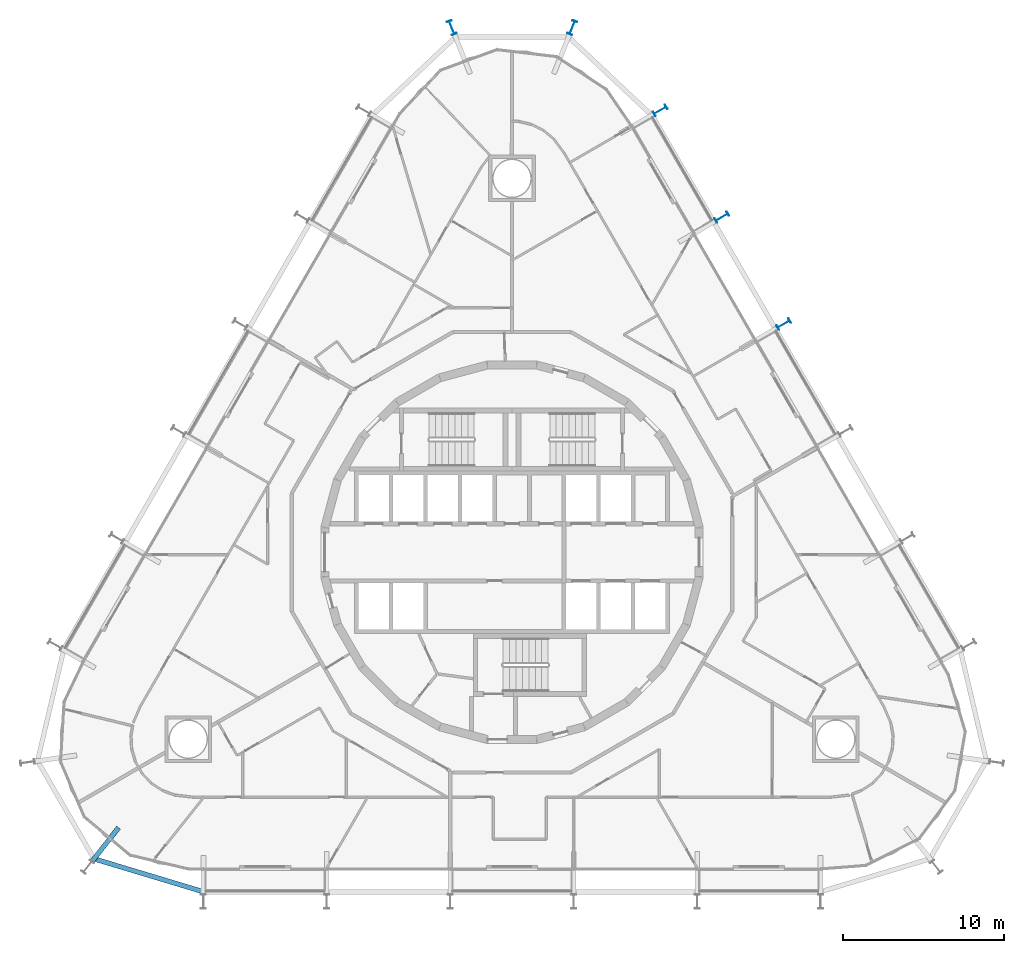
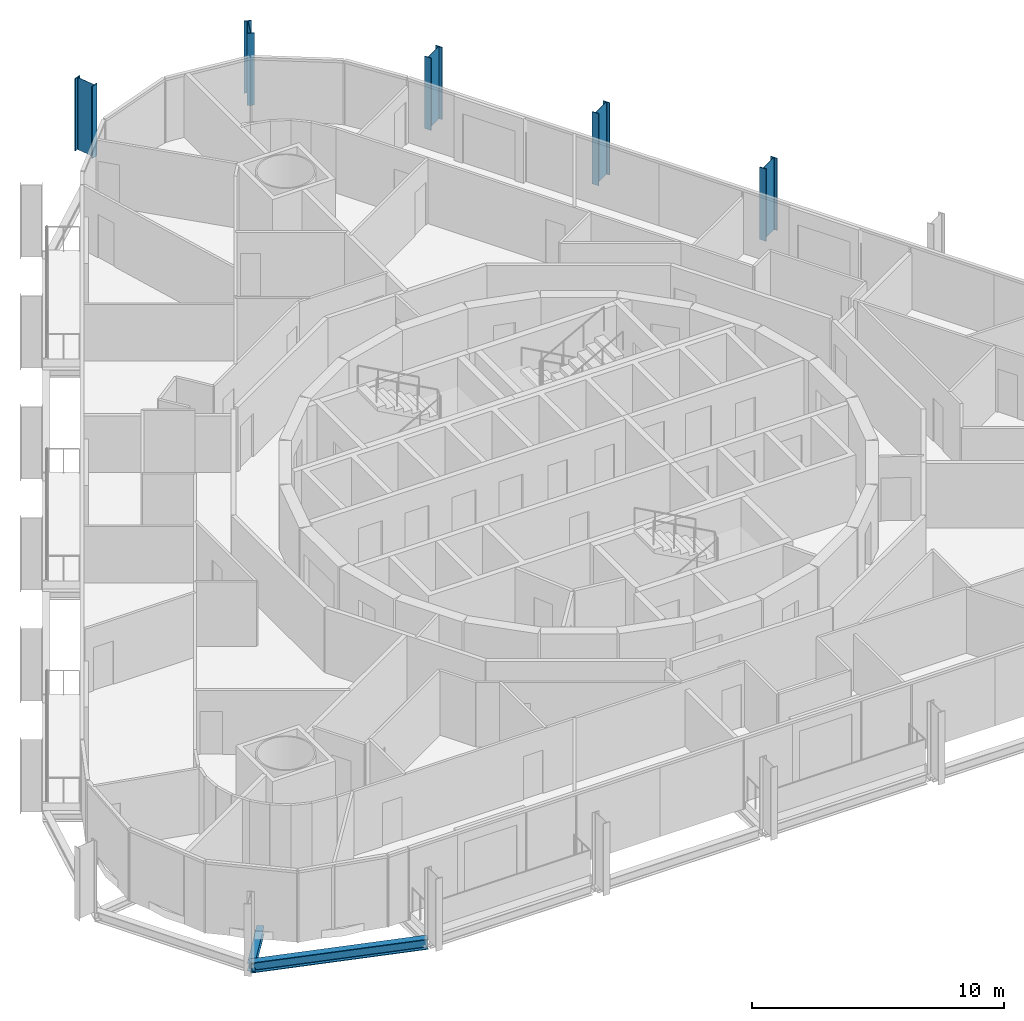
# One storey, part 2 of 20: 5 columns, 2 beams.
"""IFC4 building model written with IfcOpenShell, lengths in metres."""

import ifcopenshell
import ifcopenshell.guid

model = None  # the IFC model being written
_history = None  # IfcOwnerHistory: only IFC2X3 demands one
_inside = {}  # id of a spatial element -> (the spatial element, [elements in it])
_under = {}  # id of a project, library or spatial element -> (it, [spatial elements below it])
_declared = {}  # id of a project -> (the project, [libraries it declares])
_typed = {}  # id of a type object -> (the type object, [elements of that type])
_made_of = {}  # id of a material, layer set ... -> (it, [elements and type objects made of it])


def new_model(schema):
    """Start an empty IFC model of exactly this schema.

    Asked for "IFC4X3", IfcOpenShell would pick the latest addendum, in which some entities
    have other attributes; the version numbers below select the first issue.
    IFC2X3 requires an IfcOwnerHistory on every rooted entity: one is made here for all.
    """
    global model, _history
    if schema == "IFC4X3":
        model = ifcopenshell.file(schema_version=(4, 3, 0, 0))
    else:
        model = ifcopenshell.file(schema=schema)
    _inside.clear()
    _under.clear()
    _declared.clear()
    _typed.clear()
    _made_of.clear()
    _history = None
    if model.schema == "IFC2X3":
        org = make("IfcOrganization", Name="unknown")
        user = make(
            "IfcPersonAndOrganization",
            ThePerson=make("IfcPerson", FamilyName="unknown"),
            TheOrganization=org,
        )
        app = make(
            "IfcApplication",
            ApplicationDeveloper=org,
            Version="unknown",
            ApplicationFullName="unknown",
            ApplicationIdentifier="unknown",
        )
        _history = make(
            "IfcOwnerHistory",
            OwningUser=user,
            OwningApplication=app,
            ChangeAction="ADDED",
            CreationDate=0,
        )
    return model


def make(cls, **values):
    """One entity of the class cls with the attributes given. An attribute that is None is left unset."""
    return model.create_entity(
        cls, **{name: value for name, value in values.items() if value is not None}
    )


def rooted(cls, **values):
    """An entity with a GlobalId (a new one), such as an element, a storey or a relation."""
    return make(cls, GlobalId=ifcopenshell.guid.new(), OwnerHistory=_history, **values)


def si_unit(unit_type, name, prefix=None):
    """IfcSIUnit, for example si_unit("LENGTHUNIT", "METRE", prefix="MILLI")."""
    return make("IfcSIUnit", UnitType=unit_type, Prefix=prefix, Name=name)


def assignment(units):
    """IfcUnitAssignment: the units of a project."""
    return None if units is None else make("IfcUnitAssignment", Units=units)


def point(xyz):
    """IfcCartesianPoint."""
    return None if xyz is None else make("IfcCartesianPoint", Coordinates=xyz)


def direction(xyz):
    """IfcDirection."""
    return None if xyz is None else make("IfcDirection", DirectionRatios=xyz)


def frame(location, z_axis=None, x_axis=None):
    """IfcAxis2Placement3D, a coordinate frame: its origin and axes. An axis left out is left unset."""
    return make(
        "IfcAxis2Placement3D",
        Location=point(location),
        Axis=direction(z_axis),
        RefDirection=direction(x_axis),
    )


def frame_2d(location, x_axis=None):
    """IfcAxis2Placement2D, a coordinate frame in the plane: its origin and x axis."""
    return make(
        "IfcAxis2Placement2D", Location=point(location), RefDirection=direction(x_axis)
    )


def origin():
    """The frame at (0, 0, 0) with its axes left unset."""
    return frame((0.0, 0.0, 0.0))


def origin_2d():
    """The frame at (0, 0) in the plane with its x axis left unset."""
    return frame_2d((0.0, 0.0))


def place(relative_to, where):
    """IfcLocalPlacement: puts the frame where relative to a parent placement (None: the world)."""
    return make(
        "IfcLocalPlacement", PlacementRelTo=relative_to, RelativePlacement=where
    )


def context(
    kind, dimensions, precision=None, world=None, true_north=None, identifier=None
):
    """IfcGeometricRepresentationContext, for example the 3D "Model" context."""
    return make(
        "IfcGeometricRepresentationContext",
        ContextIdentifier=identifier,
        ContextType=kind,
        CoordinateSpaceDimension=dimensions,
        Precision=precision,
        WorldCoordinateSystem=world,
        TrueNorth=true_north,
    )


def subcontext(parent, identifier, kind, view, scale=None):
    """IfcGeometricRepresentationSubContext, for example "Body" below "Model"."""
    return make(
        "IfcGeometricRepresentationSubContext",
        ContextIdentifier=identifier,
        ContextType=kind,
        ParentContext=parent,
        TargetScale=scale,
        TargetView=view,
    )


def project(units=None, contexts=None):
    """IfcProject with its units and contexts."""
    return rooted(
        "IfcProject",
        Name="project",
        RepresentationContexts=contexts,
        UnitsInContext=assignment(units),
    )


def spatial(cls, under=None, at=None, **own):
    """A site, building, storey or space (cls), placed at a placement, below another one or the project."""
    s = rooted(cls, ObjectPlacement=at, **own)
    if under is not None:
        _under.setdefault(under.id(), (under, []))[1].append(s)
    return s


def profile(cls, at=None, kind="AREA", **sizes):
    """A parametric profile (cls). Its sizes go by their IFC names, for example OverallWidth=200.0."""
    return make(cls, ProfileType=kind, Position=at, **sizes)


def i_section(**sizes):
    """IfcIShapeProfileDef."""
    return profile("IfcIShapeProfileDef", **sizes)


def extrude(swept, where, along, depth):
    """IfcExtrudedAreaSolid: the profile swept, set in the frame where, extruded along a direction by depth."""
    return make(
        "IfcExtrudedAreaSolid",
        SweptArea=swept,
        Position=where,
        ExtrudedDirection=direction(along),
        Depth=depth,
    )


def shape(context_of_items, identifier, shape_type, items):
    """IfcShapeRepresentation: the items that make up one representation, for example the "Body"."""
    return make(
        "IfcShapeRepresentation",
        ContextOfItems=context_of_items,
        RepresentationIdentifier=identifier,
        RepresentationType=shape_type,
        Items=items,
    )


def material(Name=None, Category=None):
    """IfcMaterial."""
    return make("IfcMaterial", Name=Name, Category=Category)


def material_profile(
    of_material, cross_section, Name=None, Category=None, Priority=None
):
    """IfcMaterialProfile: a cross section and its material."""
    return make(
        "IfcMaterialProfile",
        Name=Name,
        Material=of_material,
        Profile=cross_section,
        Priority=Priority,
        Category=Category,
    )


def profile_set(profiles, Name=None, composite=None):
    """IfcMaterialProfileSet."""
    return make(
        "IfcMaterialProfileSet",
        Name=Name,
        MaterialProfiles=profiles,
        CompositeProfile=composite,
    )


def made_of(thing, what):
    """Note that an element or type object is made of a material, layer set ...; save() writes the relation."""
    if what is not None:
        _made_of.setdefault(what.id(), (what, []))[1].append(thing)
    return thing


def type_object(cls, material=None, **own):
    """A type object (cls), such as IfcWallType, which elements share."""
    return made_of(rooted(cls, **own), material)


def element(
    cls,
    number,
    at=None,
    inside=None,
    cuts=None,
    type_object=None,
    material=None,
    context=None,
    identifier="Body",
    shape_type=None,
    held_by="IfcProductDefinitionShape",
    body=None,
    shapes=None,
    **own,
):
    """One element of the class cls, such as IfcWall. Its Tag is "e" and its number.

    at: its placement. inside: the storey or other place that contains it. cuts: it is an
    opening in that element (IfcRelVoidsElement). A single representation is given by context,
    identifier, shape_type and body (its items); several are given by shapes. held_by: the class
    of the entity that holds the representations. save() writes the other relations.
    """
    e = rooted(cls, Tag="e%d" % number, ObjectPlacement=at, **own)
    if body is not None:
        shapes = [shape(context, identifier, shape_type, body)]
    if shapes is not None:
        e.Representation = make(held_by, Representations=shapes)
    if inside is not None:
        _inside.setdefault(inside.id(), (inside, []))[1].append(e)
    if cuts is not None:
        rooted(
            "IfcRelVoidsElement", RelatingBuildingElement=cuts, RelatedOpeningElement=e
        )
    if type_object is not None:
        _typed.setdefault(type_object.id(), (type_object, []))[1].append(e)
    return made_of(e, material)


def aggregate(whole, parts):
    """IfcRelAggregates: a whole, such as a stair, and the parts it consists of."""
    return rooted("IfcRelAggregates", RelatingObject=whole, RelatedObjects=parts)


def save(model, path):
    """Write the relations noted so far, then the file.

    IfcRelAggregates (storeys below a building ...), IfcRelContainedInSpatialStructure (elements
    in a storey), IfcRelDefinesByType, IfcRelAssociatesMaterial and IfcRelDeclares: one each for
    every whole, place, type object, material and project.
    """
    for whole, parts in _under.values():
        aggregate(whole, parts)
    for where, things in _inside.values():
        rooted(
            "IfcRelContainedInSpatialStructure",
            RelatedElements=things,
            RelatingStructure=where,
        )
    for kind, things in _typed.values():
        rooted("IfcRelDefinesByType", RelatedObjects=things, RelatingType=kind)
    for what, things in _made_of.values():
        rooted("IfcRelAssociatesMaterial", RelatedObjects=things, RelatingMaterial=what)
    for by, libraries in _declared.values():
        rooted("IfcRelDeclares", RelatingContext=by, RelatedDefinitions=libraries)
    model.write(path)


model = new_model("IFC4")

# Units and contexts
model_context = context("Model", 3, precision=1e-05, world=origin(), true_north=direction((0.0, 1.0)))
body_context = subcontext(model_context, "Body", "Model", "MODEL_VIEW")
ifc_project = project(units=[si_unit("LENGTHUNIT", "METRE"), si_unit("AREAUNIT", "SQUARE_METRE"), si_unit("VOLUMEUNIT", "CUBIC_METRE"), si_unit("PLANEANGLEUNIT", "RADIAN"), si_unit("MASSUNIT", "GRAM", prefix="KILO")], contexts=[model_context])

# Site, building, storey
site_placement = place(None, origin())
site = spatial("IfcSite", under=ifc_project, at=site_placement, CompositionType="ELEMENT")
building_placement = place(site_placement, origin())
building = spatial("IfcBuilding", under=site, at=building_placement, Name="Spindle Arch Residences", CompositionType="ELEMENT")
storey_placement = place(building_placement, frame((0.0, 0.0, 41.89990234375)))
storey = spatial("IfcBuildingStorey", under=building, at=storey_placement, Name="L08", CompositionType="ELEMENT", Elevation=41.89990234375)

# Columns
ifc_material_1 = material(Name="Steel S460ML, intumescent coating R 240", Category="steel")
ifc_material_profile_1 = material_profile(ifc_material_1, i_section(OverallWidth=0.300048828125, OverallDepth=0.89990234375, WebThickness=0.0185546875, FlangeThickness=0.034912109375, FilletRadius=0.030029296875, at=origin_2d()), Name="HEB 900")
ifc_profile_set_1 = profile_set([ifc_material_profile_1], Name="Steel S460ML, intumescent coating R 240")
column_type = type_object("IfcColumnType", Name="Exoskeleton post HEB 900", PredefinedType="COLUMN", material=ifc_profile_set_1)
for number, where, z_axis, x_axis, name in (
    (1, (16.898681640625, 14.1904296875, -0.3798828125), (0.0, 0.0, 1.0), (0.50000017485, -0.866025302835, 0.0), "Exoskeleton post 9"),
    (2, (13.05859375, 20.841796875, -0.3798828125), (0.0, 0.0, 1.0), (0.50000017485, -0.866025302835, 0.0), "Exoskeleton post 10"),
    (3, (9.218505859375, 27.492919921875, -0.3798828125), (0.0, 0.0, 1.0), (0.50000017485, -0.866025302835, 0.0), "Exoskeleton post 11"),
    (4, (3.748291015625, 32.638671875, -0.3798828125), (0.0, 0.0, 1.0), (0.928589751246, -0.371107900591, 0.0), "Exoskeleton post 12"),
    (5, (-3.748291015625, 32.638671875, -0.3798828125), (0.0, 0.0, 1.0), (0.928589751246, 0.371107900591, 0.0), "Exoskeleton post 13"),
):
    element("IfcColumn", number, at=place(storey_placement, frame(where, z_axis=z_axis, x_axis=x_axis)), inside=storey, type_object=column_type, Name=name, PredefinedType="COLUMN", context=body_context, shape_type="SweptSolid", body=[
        extrude(i_section(OverallWidth=0.300048828125, OverallDepth=0.89990234375, WebThickness=0.0185546875, FlangeThickness=0.034912109375, FilletRadius=0.030029296875, at=origin_2d()), origin(), (0.0, 0.0, 1.0), 3.5),
    ])

# Beams
ifc_material_2 = material(Name="Steel S460ML, intumescent coating R 120", Category="steel")
ifc_material_profile_2 = material_profile(ifc_material_2, i_section(OverallWidth=0.300048828125, OverallDepth=0.5, WebThickness=0.014404296875, FlangeThickness=0.028076171875, FilletRadius=0.027099609375, at=origin_2d()), Name="HEB 500")
ifc_profile_set_2 = profile_set([ifc_material_profile_2], Name="Steel S460ML, intumescent coating R 120")
beam_type_1 = type_object("IfcBeamType", Name="Exoskeleton edge beam HEB 500", PredefinedType="BEAM", material=ifc_profile_set_2)
beam_1_placement = place(storey_placement, frame((-26.0751953125, -19.048095703125, -0.6298828125), z_axis=(0.95756732363, -0.288209681856, 0.0), x_axis=(0.288209681856, 0.95756732363, 0.0)))
element("IfcBeam", 6, at=beam_1_placement, inside=storey, type_object=beam_type_1, Name="Exoskeleton edge beam 21", PredefinedType="BEAM", context=body_context, shape_type="SweptSolid", body=[
    extrude(i_section(OverallWidth=0.300048828125, OverallDepth=0.5, WebThickness=0.014404296875, FlangeThickness=0.028076171875, FilletRadius=0.027099609375, at=origin_2d()), origin(), (0.0, 0.0, 1.0), 7.250244140625),
])
ifc_material_3 = material(Name="Steel S460ML, intumescent coating R 120", Category="steel")
ifc_material_profile_3 = material_profile(ifc_material_3, i_section(OverallWidth=0.300048828125, OverallDepth=0.389892578125, WebThickness=0.010986328125, FlangeThickness=0.01904296875, FilletRadius=0.027099609375, at=origin_2d()), Name="HEA 400")
ifc_profile_set_3 = profile_set([ifc_material_profile_3], Name="Steel S460ML, intumescent coating R 120")
beam_type_2 = type_object("IfcBeamType", Name="Floor outrigger HEA 400", PredefinedType="BEAM", material=ifc_profile_set_3)
beam_2_placement = place(storey_placement, frame((-26.11328125, -19.211669921875, -0.574951171875), z_axis=(0.618586231558, 0.785716917297, 0.0), x_axis=(-0.785716917297, 0.618586231558, 0.0)))
element("IfcBeam", 7, at=beam_2_placement, inside=storey, type_object=beam_type_2, Name="Floor outrigger 21", PredefinedType="BEAM", context=body_context, shape_type="SweptSolid", body=[
    extrude(i_section(OverallWidth=0.300048828125, OverallDepth=0.389892578125, WebThickness=0.010986328125, FlangeThickness=0.01904296875, FilletRadius=0.027099609375, at=origin_2d()), origin(), (0.0, 0.0, 1.0), 2.64990234375),
])

save(model, "model.ifc")
